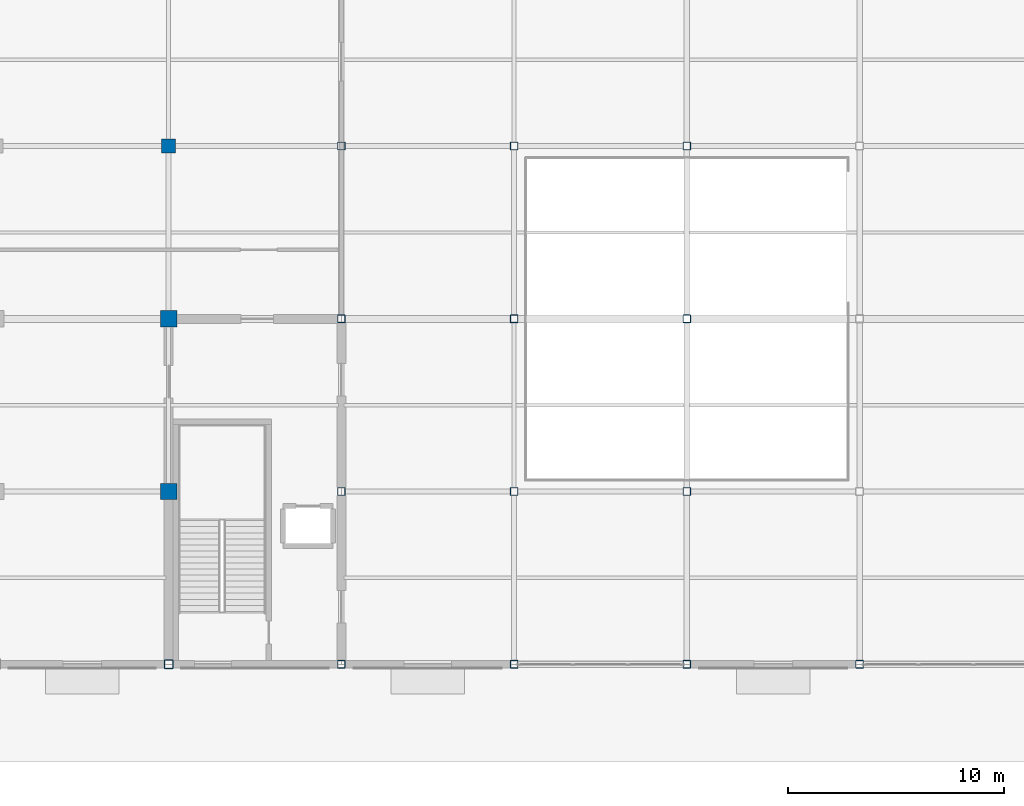
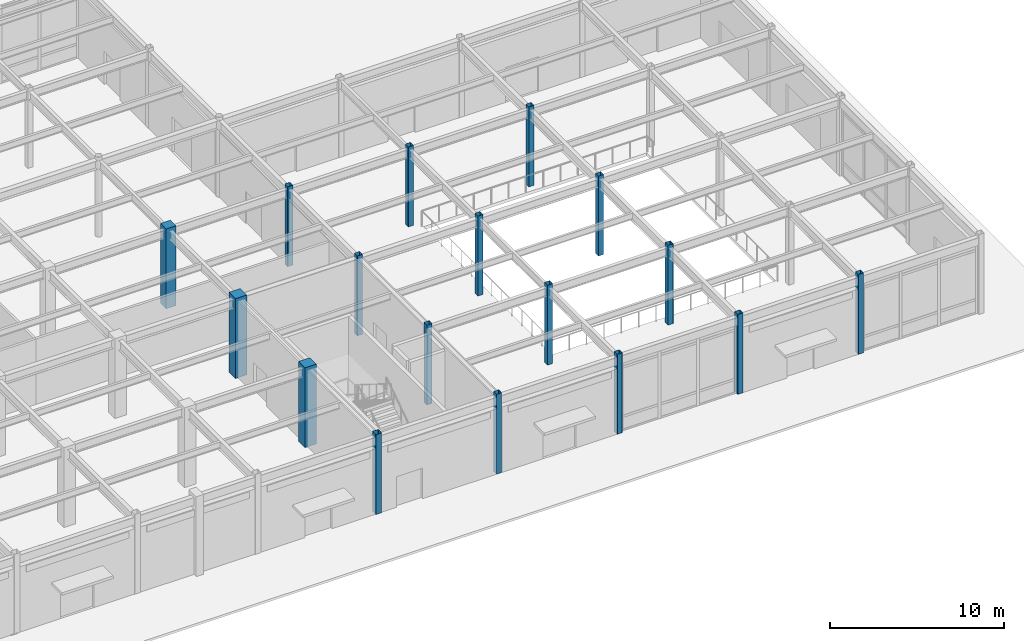
# One storey, part 23 of 128: 17 columns.
"""IFC4 building model written with IfcOpenShell, lengths in metres."""

from ifc_helpers import new_model, si_unit, direction, frame, origin, origin_2d, place, context, subcontext, project, spatial, rectangle, hollow_rectangle, extrude, material, material_profile, profile_set, type_object, element, save


model = new_model("IFC4")

# Units and contexts
model_context = context("Model", 3, precision=1e-05, world=origin(), true_north=direction((0.0, 1.0)))
body_context = subcontext(model_context, "Body", "Model", "MODEL_VIEW")
ifc_project = project(units=[si_unit("LENGTHUNIT", "METRE"), si_unit("AREAUNIT", "SQUARE_METRE"), si_unit("VOLUMEUNIT", "CUBIC_METRE"), si_unit("PLANEANGLEUNIT", "RADIAN"), si_unit("MASSUNIT", "GRAM", prefix="KILO")], contexts=[model_context])

# Site, building, storey
site_placement = place(None, origin())
site = spatial("IfcSite", under=ifc_project, at=site_placement, CompositionType="ELEMENT")
building_placement = place(site_placement, origin())
building = spatial("IfcBuilding", under=site, at=building_placement, Name="Solmirada Galleria", CompositionType="ELEMENT")
storey_placement = place(building_placement, origin())
storey = spatial("IfcBuildingStorey", under=building, at=storey_placement, Name="L00", CompositionType="ELEMENT", Elevation=0.0)

# Columns
ifc_material_1 = material(Name="Steel S355 / ASTM A500 Grade C", Category="steel")
ifc_material_profile_1 = material_profile(ifc_material_1, hollow_rectangle(XDim=0.35595703125, YDim=0.35595703125, WallThickness=0.01171875, InnerFilletRadius=0.01171875, OuterFilletRadius=0.023681640625, at=origin_2d()), Name="HSS14X14X1/2")
ifc_profile_set_1 = profile_set([ifc_material_profile_1], Name="Steel S355 / ASTM A500 Grade C")
column_type_1 = type_object("IfcColumnType", Name="COL-HSS14", PredefinedType="COLUMN", material=ifc_profile_set_1)
for number, where, z_axis, x_axis, name in (
    (1, (144.0, 0.0, 0.0), (0.0, 0.0, 1.0), (1.0, 0.0, 0.0), "Structural column L00-1206"),
    (2, (144.0, 8.0, 0.0), (0.0, 0.0, 1.0), (1.0, 0.0, 0.0), "Structural column L00-1211"),
    (3, (144.0, 16.0, 0.0), (0.0, 0.0, 1.0), (1.0, 0.0, 0.0), "Structural column L00-1216"),
    (4, (144.0, 24.0, 0.0), (0.0, 0.0, 1.0), (1.0, 0.0, 0.0), "Structural column L00-1221"),
    (5, (152.0, 0.0, 0.0), (0.0, 0.0, 1.0), (1.0, 0.0, 0.0), "Structural column L00-1292"),
    (6, (152.0, 8.0, 0.0), (0.0, 0.0, 1.0), (1.0, 0.0, 0.0), "Structural column L00-1296"),
    (7, (152.0, 16.0, 0.0), (0.0, 0.0, 1.0), (1.0, 0.0, 0.0), "Structural column L00-1300"),
    (8, (152.0, 24.0, 0.0), (0.0, 0.0, 1.0), (1.0, 0.0, 0.0), "Structural column L00-1304"),
    (9, (160.0, 0.0, 0.0), (0.0, 0.0, 1.0), (1.0, 0.0, 0.0), "Structural column L00-1365"),
    (10, (160.0, 8.0, 0.0), (0.0, 0.0, 1.0), (1.0, 0.0, 0.0), "Structural column L00-1369"),
    (11, (160.0, 16.0, 0.0), (0.0, 0.0, 1.0), (1.0, 0.0, 0.0), "Structural column L00-1373"),
    (12, (160.0, 24.0, 0.0), (0.0, 0.0, 1.0), (1.0, 0.0, 0.0), "Structural column L00-1377"),
    (13, (168.0, 0.0, 0.0), (0.0, 0.0, 1.0), (1.0, 0.0, 0.0), "Structural column L00-1438"),
):
    element("IfcColumn", number, at=place(storey_placement, frame(where, z_axis=z_axis, x_axis=x_axis)), inside=storey, type_object=column_type_1, Name=name, PredefinedType="COLUMN", context=body_context, shape_type="SweptSolid", body=[
        extrude(hollow_rectangle(XDim=0.35595703125, YDim=0.35595703125, WallThickness=0.01171875, InnerFilletRadius=0.01171875, OuterFilletRadius=0.023681640625, at=origin_2d()), origin(), (0.0, 0.0, 1.0), 5.60009765625),
    ])
ifc_material_profile_2 = material_profile(ifc_material_1, hollow_rectangle(XDim=0.406005859375, YDim=0.406005859375, WallThickness=0.0146484375, InnerFilletRadius=0.0146484375, OuterFilletRadius=0.029296875, at=origin_2d()), Name="HSS16X16X5/8")
ifc_profile_set_2 = profile_set([ifc_material_profile_2], Name="Steel S355 / ASTM A500 Grade C")
column_type_2 = type_object("IfcColumnType", Name="COL-HSS16", PredefinedType="COLUMN", material=ifc_profile_set_2)
column_1_placement = place(storey_placement, frame((136.0, 0.0, 0.0), z_axis=(0.0, 0.0, 1.0), x_axis=(1.0, 0.0, 0.0)))
element("IfcColumn", 14, at=column_1_placement, inside=storey, type_object=column_type_2, Name="Structural column L00-1105", PredefinedType="COLUMN", context=body_context, shape_type="SweptSolid", body=[
    extrude(hollow_rectangle(XDim=0.406005859375, YDim=0.406005859375, WallThickness=0.0146484375, InnerFilletRadius=0.0146484375, OuterFilletRadius=0.029296875, at=origin_2d()), origin(), (0.0, 0.0, 1.0), 5.60009765625),
])
ifc_material_2 = material(Name="Concrete C40/50", Category="concrete")
ifc_material_profile_3 = material_profile(ifc_material_2, rectangle(XDim=0.64990234375, YDim=0.64990234375, at=origin_2d()), Name="RC650X650")
ifc_profile_set_3 = profile_set([ifc_material_profile_3], Name="Concrete C40/50")
column_type_3 = type_object("IfcColumnType", Name="COL-RC650", PredefinedType="COLUMN", material=ifc_profile_set_3)
column_2_placement = place(storey_placement, frame((136.0, 24.0, 0.0), z_axis=(0.0, 0.0, 1.0), x_axis=(1.0, 0.0, 0.0)))
element("IfcColumn", 15, at=column_2_placement, inside=storey, type_object=column_type_3, Name="Structural column L00-1129", PredefinedType="COLUMN", context=body_context, shape_type="SweptSolid", body=[
    extrude(rectangle(XDim=0.64990234375, YDim=0.64990234375, at=origin_2d()), origin(), (0.0, 0.0, 1.0), 5.60009765625),
])
ifc_material_profile_4 = material_profile(ifc_material_2, rectangle(XDim=0.75, YDim=0.75, at=origin_2d()), Name="RC750X750")
ifc_profile_set_4 = profile_set([ifc_material_profile_4], Name="Concrete C40/50")
column_type_4 = type_object("IfcColumnType", Name="COL-RC750", PredefinedType="COLUMN", material=ifc_profile_set_4)
for number, where, z_axis, x_axis, name in (
    (16, (136.0, 8.0, 0.0), (0.0, 0.0, 1.0), (1.0, 0.0, 0.0), "Structural column L00-1113"),
    (17, (136.0, 16.0, 0.0), (0.0, 0.0, 1.0), (1.0, 0.0, 0.0), "Structural column L00-1121"),
):
    element("IfcColumn", number, at=place(storey_placement, frame(where, z_axis=z_axis, x_axis=x_axis)), inside=storey, type_object=column_type_4, Name=name, PredefinedType="COLUMN", context=body_context, shape_type="SweptSolid", body=[
        extrude(rectangle(XDim=0.75, YDim=0.75, at=origin_2d()), origin(), (0.0, 0.0, 1.0), 5.60009765625),
    ])

save(model, "model.ifc")
